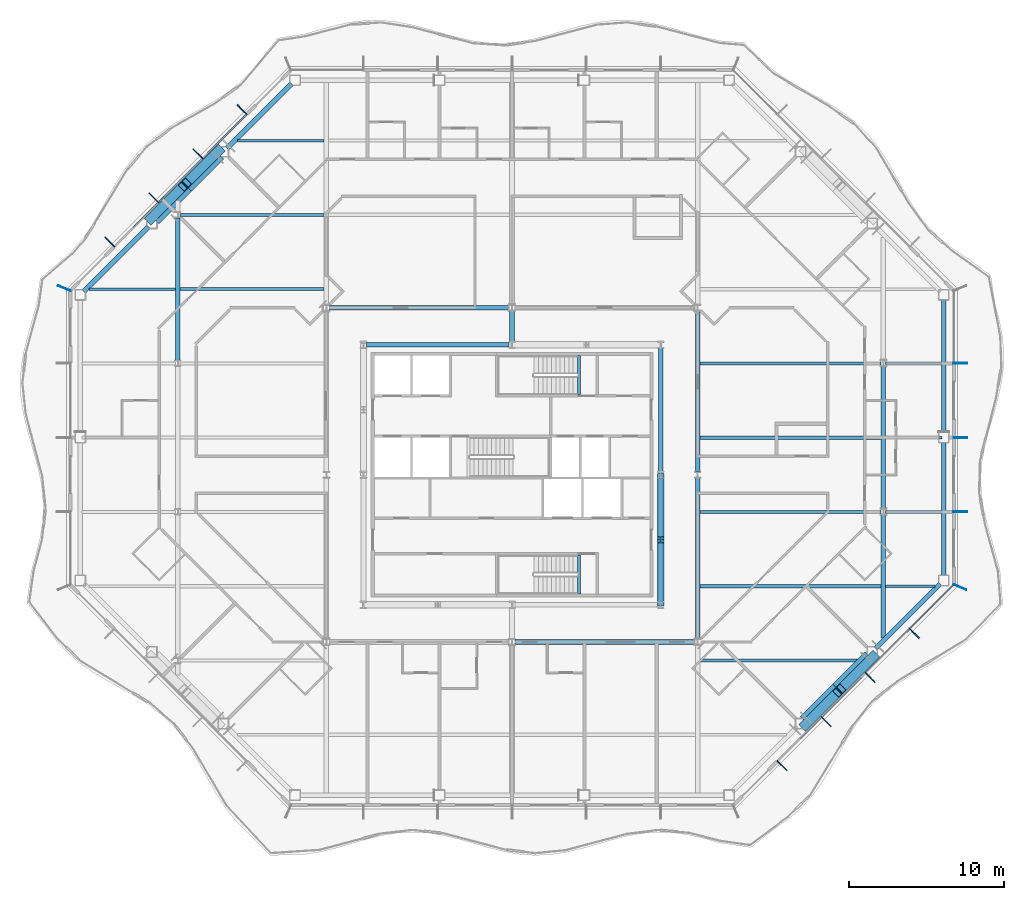
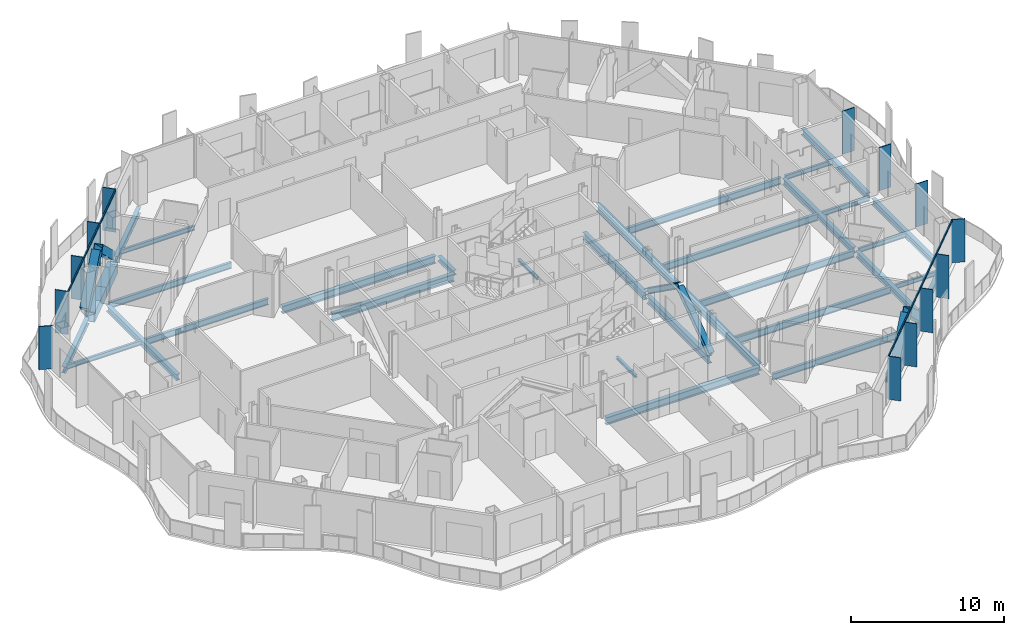
# One storey, part 4 of 21: 35 beams, 26 members, 4 elements without a shape of their own.
"""IFC4 building model written with IfcOpenShell, lengths in metres."""

from ifc_helpers import new_model, si_unit, direction, frame, origin, origin_2d, place, context, subcontext, project, spatial, rectangle, hollow_rectangle, i_section, extrude, material, material_profile, profile_set, type_object, element, aggregate, save


model = new_model("IFC4")

# Units and contexts
model_context = context("Model", 3, precision=1e-05, world=origin(), true_north=direction((0.0, 1.0)))
body_context = subcontext(model_context, "Body", "Model", "MODEL_VIEW")
ifc_project = project(units=[si_unit("LENGTHUNIT", "METRE"), si_unit("AREAUNIT", "SQUARE_METRE"), si_unit("VOLUMEUNIT", "CUBIC_METRE"), si_unit("PLANEANGLEUNIT", "RADIAN"), si_unit("MASSUNIT", "GRAM", prefix="KILO")], contexts=[model_context])

# Site, building, storey
site_placement = place(None, origin())
site = spatial("IfcSite", under=ifc_project, at=site_placement, CompositionType="ELEMENT")
building_placement = place(site_placement, origin())
building = spatial("IfcBuilding", under=site, at=building_placement, Name="Cairn Pilgrim Tower", CompositionType="ELEMENT")
storey_placement = place(building_placement, frame((0.0, 0.0, 139.800048828125)))
storey = spatial("IfcBuildingStorey", under=building, at=storey_placement, Name="L34", CompositionType="ELEMENT", Elevation=139.800048828125)

# Members
ifc_material_1 = material(Name="Structural steel S460M", Category="steel")
ifc_material_profile_1 = material_profile(ifc_material_1, hollow_rectangle(XDim=0.60009765625, YDim=0.60009765625, WallThickness=0.034912109375, at=origin_2d()), Name="BOX 600x600x35")
ifc_profile_set_1 = profile_set([ifc_material_profile_1], Name="Structural steel S460M")
member_type_1 = type_object("IfcMemberType", Name="BOX 600x600x35 BRACE", PredefinedType="BRACE", material=ifc_profile_set_1)
for number, where, z_axis, x_axis, name in (
    (1, (26.08837890625, -13.813720703125, 0.14990234375), (0.535555986925, 0.535555986925, 0.652962150311), (-0.707106781187, 0.707106781187, 0.0), "XB-SE2-SE3-1"),
    (2, (30.613525390625, -9.288330078125, 0.14990234375), (-0.535512846393, -0.535573335815, 0.652983302476), (0.707146713802, -0.707066846316, 0.0), "XB-SE2-SE3-2"),
):
    element("IfcMember", number, at=place(storey_placement, frame(where, z_axis=z_axis, x_axis=x_axis)), inside=storey, type_object=member_type_1, Name=name, PredefinedType="BRACE", context=body_context, shape_type="SweptSolid", body=[
        extrude(hollow_rectangle(XDim=0.60009765625, YDim=0.60009765625, WallThickness=0.034912109375, at=origin_2d()), origin(), (0.0, 0.0, 1.0), 4.0361328125),
    ])
member_1_placement = place(storey_placement, frame((-11.6884765625, 23.41357421875, 0.14990234375), z_axis=(-0.53553019501, -0.53553019501, 0.653004456696), x_axis=(0.707106781187, -0.707106781187, 0.0)))
element("IfcMember", 3, at=member_1_placement, inside=storey, type_object=member_type_1, Name="XB-NW2-NW3-1", PredefinedType="BRACE", context=body_context, shape_type="SweptSolid", body=[
    extrude(hollow_rectangle(XDim=0.60009765625, YDim=0.60009765625, WallThickness=0.034912109375, at=origin_2d()), origin(), (0.0, 0.0, 1.0), 4.035888671875),
])
member_2_placement = place(storey_placement, frame((-16.213623046875, 18.888427734375, 0.14990234375), z_axis=(0.535573335815, 0.535512846393, 0.652983302476), x_axis=(-0.707066846316, 0.707146713802, 0.0)))
element("IfcMember", 4, at=member_2_placement, inside=storey, type_object=member_type_1, Name="XB-NW2-NW3-2", PredefinedType="BRACE", context=body_context, shape_type="SweptSolid", body=[
    extrude(hollow_rectangle(XDim=0.60009765625, YDim=0.60009765625, WallThickness=0.034912109375, at=origin_2d()), origin(), (0.0, 0.0, 1.0), 4.0361328125),
])

# Beams
ifc_material_2 = material(Name="Structural steel S355J2", Category="steel")
ifc_material_profile_2 = material_profile(ifc_material_2, hollow_rectangle(XDim=0.699951171875, YDim=0.800048828125, WallThickness=0.0400390625, at=origin_2d()), Name="BOX 700x800x40")
ifc_profile_set_2 = profile_set([ifc_material_profile_2], Name="Structural steel S355J2")
beam_type_1 = type_object("IfcBeamType", Name="BOX 700x800x40 RING GIRDER", PredefinedType="SPANDREL", material=ifc_profile_set_2)
for number, where, z_axis, x_axis, name in (
    (5, (26.07421875, -13.452880859375, -0.550048828125), (0.707106781187, 0.707106781187, 0.0), (-0.707106781187, 0.707106781187, 0.0), "RG2-SE2-SE3-1"),
    (6, (28.16357421875, -11.363525390625, -0.550048828125), (0.707106781187, 0.707106781187, 0.0), (-0.707106781187, 0.707106781187, 0.0), "RG2-SE2-SE3-2"),
    (7, (-11.67431640625, 23.052978515625, -0.550048828125), (-0.707106781187, -0.707106781187, 0.0), (0.707106781187, -0.707106781187, 0.0), "RG2-NW2-NW3-1"),
    (8, (-13.763671875, 20.963623046875, -0.550048828125), (-0.707106781187, -0.707106781187, 0.0), (0.707106781187, -0.707106781187, 0.0), "RG2-NW2-NW3-2"),
):
    element("IfcBeam", number, at=place(storey_placement, frame(where, z_axis=z_axis, x_axis=x_axis)), inside=storey, type_object=beam_type_1, Name=name, PredefinedType="SPANDREL", context=body_context, shape_type="SweptSolid", body=[
        extrude(hollow_rectangle(XDim=0.699951171875, YDim=0.800048828125, WallThickness=0.0400390625, at=origin_2d()), origin(), (0.0, 0.0, 1.0), 2.954833984375),
    ])

# Curtain wall, members
ifc_material_3 = material(Name="Aluminium alloy 6063-T6 bronze anodised with Bronze tinted laminated low-E glass 8+16+8.8", Category="aluminium")
curtain_wall_type_1 = type_object("IfcCurtainWallType", Name="CHAMFER CORNER CURTAIN WALL", PredefinedType="NOTDEFINED", material=ifc_material_3)
curtain_wall_1_placement = place(storey_placement, origin())
curtain_wall_1 = element("IfcCurtainWall", 9, at=curtain_wall_1_placement, inside=storey, type_object=curtain_wall_type_1, Name="Chamfer Corner Curtain Wall SE", PredefinedType="NOTDEFINED")
ifc_material_4 = material(Name="Aluminium alloy 6063-T6 bronze anodised", Category="aluminium")
ifc_material_profile_3 = material_profile(ifc_material_4, rectangle(XDim=0.89990234375, YDim=0.06005859375, at=origin_2d()), Name="FIN MULLION 60x900 BRONZE")
ifc_profile_set_3 = profile_set([ifc_material_profile_3], Name="Aluminium alloy 6063-T6 bronze anodised")
member_type_2 = type_object("IfcMemberType", Name="FIN MULLION 60x900 BRONZE", PredefinedType="MULLION", material=ifc_profile_set_3)
member_3_placement = place(storey_placement, frame((24.64404296875, -16.396240234375, 0.0), z_axis=(0.0, 0.0, 1.0), x_axis=(0.707106781187, -0.707106781187, 0.0)))
member_3 = element("IfcMember", 10, at=member_3_placement, type_object=member_type_2, Name="Fin mullion SE2", PredefinedType="MULLION", context=body_context, shape_type="SweptSolid", body=[
    extrude(rectangle(XDim=0.89990234375, YDim=0.06005859375, at=origin_2d()), origin(), (0.0, 0.0, 1.0), 3.449951171875),
])
member_4_placement = place(storey_placement, frame((27.494873046875, -13.545654296875, 0.0), z_axis=(0.0, 0.0, 1.0), x_axis=(0.707106781187, -0.707106781187, 0.0)))
member_4 = element("IfcMember", 11, at=member_4_placement, type_object=member_type_2, Name="Fin mullion SE3", PredefinedType="MULLION", context=body_context, shape_type="SweptSolid", body=[
    extrude(rectangle(XDim=0.89990234375, YDim=0.06005859375, at=origin_2d()), origin(), (0.0, 0.0, 1.0), 3.449951171875),
])
member_5_placement = place(storey_placement, frame((30.345458984375, -10.69482421875, 0.0), z_axis=(0.0, 0.0, 1.0), x_axis=(0.707106781187, -0.707106781187, 0.0)))
member_5 = element("IfcMember", 12, at=member_5_placement, type_object=member_type_2, Name="Fin mullion SE4", PredefinedType="MULLION", context=body_context, shape_type="SweptSolid", body=[
    extrude(rectangle(XDim=0.89990234375, YDim=0.06005859375, at=origin_2d()), origin(), (0.0, 0.0, 1.0), 3.449951171875),
])
member_6_placement = place(storey_placement, frame((33.1962890625, -7.84423828125, 0.0), z_axis=(0.0, 0.0, 1.0), x_axis=(0.707106781187, -0.707106781187, 0.0)))
member_6 = element("IfcMember", 13, at=member_6_placement, type_object=member_type_2, Name="Fin mullion SE5", PredefinedType="MULLION", context=body_context, shape_type="SweptSolid", body=[
    extrude(rectangle(XDim=0.89990234375, YDim=0.06005859375, at=origin_2d()), origin(), (0.0, 0.0, 1.0), 3.449951171875),
])

curtain_wall_type_2 = type_object("IfcCurtainWallType", Name="TOWER STICK CURTAIN WALL EW", PredefinedType="NOTDEFINED", material=ifc_material_3)
curtain_wall_2_placement = place(storey_placement, origin())
curtain_wall_2 = element("IfcCurtainWall", 14, at=curtain_wall_2_placement, inside=storey, type_object=curtain_wall_type_2, Name="Tower Stick Curtain Wall Ew E", PredefinedType="NOTDEFINED")
member_7_placement = place(storey_placement, frame((36.137939453125, -4.857177734375, 0.0), z_axis=(0.0, 0.0, 1.0), x_axis=(0.923879532511, -0.382683432365, 0.0)))
member_7 = element("IfcMember", 15, at=member_7_placement, type_object=member_type_2, Name="Fin mullion E1", PredefinedType="MULLION", context=body_context, shape_type="SweptSolid", body=[
    extrude(rectangle(XDim=0.89990234375, YDim=0.06005859375, at=origin_2d()), origin(), (0.0, 0.0, 1.0), 3.449951171875),
])
member_8_placement = place(storey_placement, frame((36.169921875, 0.0, 0.0), z_axis=(0.0, 0.0, 1.0), x_axis=(1.0, 0.0, 0.0)))
member_8 = element("IfcMember", 16, at=member_8_placement, type_object=member_type_2, Name="Fin mullion E2", PredefinedType="MULLION", context=body_context, shape_type="SweptSolid", body=[
    extrude(rectangle(XDim=0.89990234375, YDim=0.06005859375, at=origin_2d()), origin(), (0.0, 0.0, 1.0), 3.449951171875),
])
member_9_placement = place(storey_placement, frame((36.169921875, 4.800048828125, 0.0), z_axis=(0.0, 0.0, 1.0), x_axis=(1.0, 0.0, 0.0)))
member_9 = element("IfcMember", 17, at=member_9_placement, type_object=member_type_2, Name="Fin mullion E3", PredefinedType="MULLION", context=body_context, shape_type="SweptSolid", body=[
    extrude(rectangle(XDim=0.89990234375, YDim=0.06005859375, at=origin_2d()), origin(), (0.0, 0.0, 1.0), 3.449951171875),
])
member_10_placement = place(storey_placement, frame((36.169921875, 9.60009765625, 0.0), z_axis=(0.0, 0.0, 1.0), x_axis=(1.0, 0.0, 0.0)))
member_10 = element("IfcMember", 18, at=member_10_placement, type_object=member_type_2, Name="Fin mullion E4", PredefinedType="MULLION", context=body_context, shape_type="SweptSolid", body=[
    extrude(rectangle(XDim=0.89990234375, YDim=0.06005859375, at=origin_2d()), origin(), (0.0, 0.0, 1.0), 3.449951171875),
])
aggregate(curtain_wall_2, [member_7, member_8, member_9, member_10])

curtain_wall_3_placement = place(storey_placement, origin())
curtain_wall_3 = element("IfcCurtainWall", 19, at=curtain_wall_3_placement, inside=storey, type_object=curtain_wall_type_1, Name="Chamfer Corner Curtain Wall NW", PredefinedType="NOTDEFINED")
member_11_placement = place(storey_placement, frame((-10.244140625, 25.996337890625, 0.0), z_axis=(0.0, 0.0, 1.0), x_axis=(-0.707106781187, 0.707106781187, 0.0)))
member_11 = element("IfcMember", 20, at=member_11_placement, type_object=member_type_2, Name="Fin mullion NW2", PredefinedType="MULLION", context=body_context, shape_type="SweptSolid", body=[
    extrude(rectangle(XDim=0.89990234375, YDim=0.06005859375, at=origin_2d()), origin(), (0.0, 0.0, 1.0), 3.449951171875),
])
member_12_placement = place(storey_placement, frame((-13.094970703125, 23.1455078125, 0.0), z_axis=(0.0, 0.0, 1.0), x_axis=(-0.707106781187, 0.707106781187, 0.0)))
member_12 = element("IfcMember", 21, at=member_12_placement, type_object=member_type_2, Name="Fin mullion NW3", PredefinedType="MULLION", context=body_context, shape_type="SweptSolid", body=[
    extrude(rectangle(XDim=0.89990234375, YDim=0.06005859375, at=origin_2d()), origin(), (0.0, 0.0, 1.0), 3.449951171875),
])
member_13_placement = place(storey_placement, frame((-15.945556640625, 20.294921875, 0.0), z_axis=(0.0, 0.0, 1.0), x_axis=(-0.707106781187, 0.707106781187, 0.0)))
member_13 = element("IfcMember", 22, at=member_13_placement, type_object=member_type_2, Name="Fin mullion NW4", PredefinedType="MULLION", context=body_context, shape_type="SweptSolid", body=[
    extrude(rectangle(XDim=0.89990234375, YDim=0.06005859375, at=origin_2d()), origin(), (0.0, 0.0, 1.0), 3.449951171875),
])
member_14_placement = place(storey_placement, frame((-18.79638671875, 17.444091796875, 0.0), z_axis=(0.0, 0.0, 1.0), x_axis=(-0.707106781187, 0.707106781187, 0.0)))
member_14 = element("IfcMember", 23, at=member_14_placement, type_object=member_type_2, Name="Fin mullion NW5", PredefinedType="MULLION", context=body_context, shape_type="SweptSolid", body=[
    extrude(rectangle(XDim=0.89990234375, YDim=0.06005859375, at=origin_2d()), origin(), (0.0, 0.0, 1.0), 3.449951171875),
])

# Curtain wall, member
curtain_wall_4_placement = place(storey_placement, origin())
curtain_wall_4 = element("IfcCurtainWall", 24, at=curtain_wall_4_placement, inside=storey, type_object=curtain_wall_type_2, Name="Tower Stick Curtain Wall Ew W", PredefinedType="NOTDEFINED")
member_15_placement = place(storey_placement, frame((-21.738037109375, 14.457275390625, 0.0), z_axis=(0.0, 0.0, 1.0), x_axis=(-0.923879532511, 0.382683432365, 0.0)))
member_15 = element("IfcMember", 25, at=member_15_placement, type_object=member_type_2, Name="Fin mullion W1", PredefinedType="MULLION", context=body_context, shape_type="SweptSolid", body=[
    extrude(rectangle(XDim=0.89990234375, YDim=0.06005859375, at=origin_2d()), origin(), (0.0, 0.0, 1.0), 3.449951171875),
])
aggregate(curtain_wall_4, [member_15])

# Members
ifc_material_profile_4 = material_profile(ifc_material_1, i_section(OverallWidth=0.408935546875, OverallDepth=0.425048828125, WebThickness=0.03271484375, FlangeThickness=0.052490234375, FilletRadius=0.014892578125, at=origin_2d()), Name="HD 400x421")
ifc_profile_set_4 = profile_set([ifc_material_profile_4], Name="Structural steel S460M")
member_type_3 = type_object("IfcMemberType", Name="HD 400x421 BRACE", PredefinedType="BRACE", material=ifc_profile_set_4)
for number, where, z_axis, x_axis, name in (
    (26, (16.800048828125, -5.95751953125, 0.099853515625), (0.0, 0.814281054922, 0.58047081201), (-1.0, 0.0, 0.0), "KB-2A"),
    (27, (16.800048828125, 2.357666015625, 0.099853515625), (0.0, -0.814281054922, 0.58047081201), (1.0, 0.0, 0.0), "KB-2B"),
):
    element("IfcMember", number, at=place(storey_placement, frame(where, z_axis=z_axis, x_axis=x_axis)), inside=storey, type_object=member_type_3, Name=name, PredefinedType="BRACE", context=body_context, shape_type="SweptSolid", body=[
        extrude(i_section(OverallWidth=0.408935546875, OverallDepth=0.425048828125, WebThickness=0.03271484375, FlangeThickness=0.052490234375, FilletRadius=0.014892578125, at=origin_2d()), origin(), (0.0, 0.0, 1.0), 4.99755859375),
    ])

# Beams
ifc_material_profile_5 = material_profile(ifc_material_2, i_section(OverallWidth=0.300048828125, OverallDepth=0.39990234375, WebThickness=0.013427734375, FlangeThickness=0.02392578125, FilletRadius=0.027099609375, at=origin_2d()), Name="HEB 400")
ifc_profile_set_5 = profile_set([ifc_material_profile_5], Name="Structural steel S355J2")
beam_type_2 = type_object("IfcBeamType", Name="HEB 400 GIRDER", PredefinedType="BEAM", material=ifc_profile_set_5)
beam_1_placement = place(storey_placement, frame((7.199951171875, 11.011962890625, -0.35009765625), z_axis=(0.0, 1.0, 0.0), x_axis=(-1.0, 0.0, 0.0)))
element("IfcBeam", 28, at=beam_1_placement, inside=storey, type_object=beam_type_2, Name="PG3-E2", PredefinedType="BEAM", context=body_context, shape_type="SweptSolid", body=[
    extrude(i_section(OverallWidth=0.300048828125, OverallDepth=0.39990234375, WebThickness=0.013427734375, FlangeThickness=0.02392578125, FilletRadius=0.027099609375, at=origin_2d()), origin(), (0.0, 0.0, 1.0), 1.983642578125),
])
ifc_material_profile_6 = material_profile(ifc_material_2, i_section(OverallWidth=0.300048828125, OverallDepth=0.5, WebThickness=0.014404296875, FlangeThickness=0.028076171875, FilletRadius=0.027099609375, at=origin_2d()), Name="HEB 500")
ifc_profile_set_6 = profile_set([ifc_material_profile_6], Name="Structural steel S355J2")
beam_type_3 = type_object("IfcBeamType", Name="HEB 500 GIRDER", PredefinedType="BEAM", material=ifc_profile_set_6)
beam_2_placement = place(storey_placement, frame((-14.39990234375, 9.799560546875, -0.400146484375), z_axis=(0.0, 1.0, 0.0), x_axis=(-1.0, 0.0, 0.0)))
element("IfcBeam", 29, at=beam_2_placement, inside=storey, type_object=beam_type_3, Name="PG1-3", PredefinedType="BEAM", context=body_context, shape_type="SweptSolid", body=[
    extrude(i_section(OverallWidth=0.300048828125, OverallDepth=0.5, WebThickness=0.014404296875, FlangeThickness=0.028076171875, FilletRadius=0.027099609375, at=origin_2d()), origin(), (0.0, 0.0, 1.0), 9.200927734375),
])
beam_3_placement = place(storey_placement, frame((31.199951171875, -8.14501953125, -0.400146484375), z_axis=(0.0, 1.0, 0.0), x_axis=(-1.0, 0.0, 0.0)))
element("IfcBeam", 30, at=beam_3_placement, inside=storey, type_object=beam_type_3, Name="PG5-1", PredefinedType="BEAM", context=body_context, shape_type="SweptSolid", body=[
    extrude(i_section(OverallWidth=0.300048828125, OverallDepth=0.5, WebThickness=0.014404296875, FlangeThickness=0.028076171875, FilletRadius=0.027099609375, at=origin_2d()), origin(), (0.0, 0.0, 1.0), 7.9404296875),
])
beam_4_placement = place(storey_placement, frame((31.199951171875, 0.20458984375, -0.400146484375), z_axis=(0.0, 1.0, 0.0), x_axis=(-1.0, 0.0, 0.0)))
element("IfcBeam", 31, at=beam_4_placement, inside=storey, type_object=beam_type_3, Name="PG5-2", PredefinedType="BEAM", context=body_context, shape_type="SweptSolid", body=[
    extrude(i_section(OverallWidth=0.300048828125, OverallDepth=0.5, WebThickness=0.014404296875, FlangeThickness=0.028076171875, FilletRadius=0.027099609375, at=origin_2d()), origin(), (0.0, 0.0, 1.0), 9.19091796875),
])
ifc_material_profile_7 = material_profile(ifc_material_2, i_section(OverallWidth=0.300048828125, OverallDepth=0.5, WebThickness=0.014404296875, FlangeThickness=0.028076171875, FilletRadius=0.027099609375, at=origin_2d()), Name="HEB 500")
ifc_profile_set_7 = profile_set([ifc_material_profile_7], Name="Structural steel S355J2")
beam_type_4 = type_object("IfcBeamType", Name="HEB 500 RING GIRDER", PredefinedType="SPANDREL", material=ifc_profile_set_7)
beam_5_placement = place(storey_placement, frame((30.698486328125, -8.82861328125, -0.400146484375), z_axis=(0.707106781187, 0.707106781187, 0.0), x_axis=(-0.707106781187, 0.707106781187, 0.0)))
element("IfcBeam", 32, at=beam_5_placement, inside=storey, type_object=beam_type_4, Name="RG2-SE3-E1", PredefinedType="SPANDREL", context=body_context, shape_type="SweptSolid", body=[
    extrude(i_section(OverallWidth=0.300048828125, OverallDepth=0.5, WebThickness=0.014404296875, FlangeThickness=0.028076171875, FilletRadius=0.027099609375, at=origin_2d()), origin(), (0.0, 0.0, 1.0), 5.90966796875),
])
beam_6_placement = place(storey_placement, frame((35.10009765625, -4.1123046875, -0.400146484375), z_axis=(0.0, 1.0, 0.0), x_axis=(-1.0, 0.0, 0.0)))
element("IfcBeam", 33, at=beam_6_placement, inside=storey, type_object=beam_type_4, Name="RG2-E1-E2", PredefinedType="SPANDREL", context=body_context, shape_type="SweptSolid", body=[
    extrude(i_section(OverallWidth=0.300048828125, OverallDepth=0.5, WebThickness=0.014404296875, FlangeThickness=0.028076171875, FilletRadius=0.027099609375, at=origin_2d()), origin(), (0.0, 0.0, 1.0), 8.597412109375),
])
beam_7_placement = place(storey_placement, frame((35.10009765625, 5.114990234375, -0.400146484375), z_axis=(0.0, 1.0, 0.0), x_axis=(-1.0, 0.0, 0.0)))
element("IfcBeam", 34, at=beam_7_placement, inside=storey, type_object=beam_type_4, Name="RG2-E2-NE1", PredefinedType="SPANDREL", context=body_context, shape_type="SweptSolid", body=[
    extrude(i_section(OverallWidth=0.300048828125, OverallDepth=0.5, WebThickness=0.014404296875, FlangeThickness=0.028076171875, FilletRadius=0.027099609375, at=origin_2d()), origin(), (0.0, 0.0, 1.0), 8.59716796875),
])
for number, where, z_axis, x_axis, name in (
    (35, (-7.0498046875, 27.67724609375, -0.400146484375), (-0.707127436591, -0.707086125179, 0.0), (0.707086125179, -0.707127436591, 0.0), "RG2-NW1-NW2"),
    (36, (-16.298583984375, 18.4287109375, -0.400146484375), (-0.707106781187, -0.707106781187, 0.0), (0.707106781187, -0.707106781187, 0.0), "RG2-NW3-W1"),
):
    element("IfcBeam", number, at=place(storey_placement, frame(where, z_axis=z_axis, x_axis=x_axis)), inside=storey, type_object=beam_type_4, Name=name, PredefinedType="SPANDREL", context=body_context, shape_type="SweptSolid", body=[
        extrude(i_section(OverallWidth=0.300048828125, OverallDepth=0.5, WebThickness=0.014404296875, FlangeThickness=0.028076171875, FilletRadius=0.027099609375, at=origin_2d()), origin(), (0.0, 0.0, 1.0), 5.90966796875),
    ])
ifc_material_profile_8 = material_profile(ifc_material_2, i_section(OverallWidth=0.300048828125, OverallDepth=0.60009765625, WebThickness=0.015380859375, FlangeThickness=0.030029296875, FilletRadius=0.027099609375, at=origin_2d()), Name="HEB 600")
ifc_profile_set_8 = profile_set([ifc_material_profile_8], Name="Structural steel S355J2")
beam_type_5 = type_object("IfcBeamType", Name="HEB 600 CORE BEAM", PredefinedType="BEAM", material=ifc_profile_set_8)
for number, where, z_axis, x_axis, name in (
    (37, (16.800048828125, -5.80908203125, -0.449951171875), (0.0, 1.0, 0.0), (-1.0, 0.0, 0.0), "CB-3"),
    (38, (16.800048828125, 2.5908203125, -0.449951171875), (0.0, 1.0, 0.0), (-1.0, 0.0, 0.0), "CB-4"),
):
    element("IfcBeam", number, at=place(storey_placement, frame(where, z_axis=z_axis, x_axis=x_axis)), inside=storey, type_object=beam_type_5, Name=name, PredefinedType="BEAM", context=body_context, shape_type="SweptSolid", body=[
        extrude(i_section(OverallWidth=0.300048828125, OverallDepth=0.60009765625, WebThickness=0.015380859375, FlangeThickness=0.030029296875, FilletRadius=0.027099609375, at=origin_2d()), origin(), (0.0, 0.0, 1.0), 8.018310546875),
    ])
beam_8_placement = place(storey_placement, frame((7.00927734375, 10.800048828125, -0.449951171875), z_axis=(-1.0, 0.0, 0.0), x_axis=(0.0, -1.0, 0.0)))
element("IfcBeam", 39, at=beam_8_placement, inside=storey, type_object=beam_type_5, Name="CB-6", PredefinedType="BEAM", context=body_context, shape_type="SweptSolid", body=[
    extrude(i_section(OverallWidth=0.300048828125, OverallDepth=0.60009765625, WebThickness=0.015380859375, FlangeThickness=0.030029296875, FilletRadius=0.027099609375, at=origin_2d()), origin(), (0.0, 0.0, 1.0), 9.218505859375),
])
ifc_material_profile_9 = material_profile(ifc_material_2, i_section(OverallWidth=0.300048828125, OverallDepth=0.60009765625, WebThickness=0.015380859375, FlangeThickness=0.030029296875, FilletRadius=0.027099609375, at=origin_2d()), Name="HEB 600")
ifc_profile_set_9 = profile_set([ifc_material_profile_9], Name="Structural steel S355J2")
beam_type_6 = type_object("IfcBeamType", Name="HEB 600 GIRDER", PredefinedType="BEAM", material=ifc_profile_set_9)
for number, where, z_axis, x_axis, name in (
    (40, (19.199951171875, -8.195556640625, -0.449951171875), (0.0, 1.0, 0.0), (-1.0, 0.0, 0.0), "PG4-2"),
    (41, (19.199951171875, 2.6044921875, -0.449951171875), (0.0, 1.0, 0.0), (-1.0, 0.0, 0.0), "PG4-3"),
):
    element("IfcBeam", number, at=place(storey_placement, frame(where, z_axis=z_axis, x_axis=x_axis)), inside=storey, type_object=beam_type_6, Name=name, PredefinedType="BEAM", context=body_context, shape_type="SweptSolid", body=[
        extrude(i_section(OverallWidth=0.300048828125, OverallDepth=0.60009765625, WebThickness=0.015380859375, FlangeThickness=0.030029296875, FilletRadius=0.027099609375, at=origin_2d()), origin(), (0.0, 0.0, 1.0), 10.39111328125),
    ])
ifc_material_profile_10 = material_profile(ifc_material_2, i_section(OverallWidth=0.300048828125, OverallDepth=0.60009765625, WebThickness=0.015380859375, FlangeThickness=0.030029296875, FilletRadius=0.027099609375, at=origin_2d()), Name="HEB 600")
ifc_profile_set_10 = profile_set([ifc_material_profile_10], Name="Structural steel S355J2")
beam_type_7 = type_object("IfcBeamType", Name="HEB 600 INNER GIRDER", PredefinedType="BEAM", material=ifc_profile_set_10)
for number, where, z_axis, x_axis, name in (
    (42, (7.404541015625, -8.39990234375, -0.449951171875), (1.0, 0.0, 0.0), (0.0, 1.0, 0.0), "IG1-2"),
    (43, (-4.595458984375, 13.199951171875, -0.449951171875), (1.0, 0.0, 0.0), (0.0, 1.0, 0.0), "IG2-1"),
):
    element("IfcBeam", number, at=place(storey_placement, frame(where, z_axis=z_axis, x_axis=x_axis)), inside=storey, type_object=beam_type_7, Name=name, PredefinedType="BEAM", context=body_context, shape_type="SweptSolid", body=[
        extrude(i_section(OverallWidth=0.300048828125, OverallDepth=0.60009765625, WebThickness=0.015380859375, FlangeThickness=0.030029296875, FilletRadius=0.027099609375, at=origin_2d()), origin(), (0.0, 0.0, 1.0), 11.591064453125),
    ])
ifc_material_profile_11 = material_profile(ifc_material_2, i_section(OverallWidth=0.169921875, OverallDepth=0.360107421875, WebThickness=0.008056640625, FlangeThickness=0.0126953125, FilletRadius=0.01806640625, at=origin_2d()), Name="IPE 360")
ifc_profile_set_11 = profile_set([ifc_material_profile_11], Name="Structural steel S355J2")
beam_type_8 = type_object("IfcBeamType", Name="IPE 360 SECONDARY BEAM", PredefinedType="JOIST", material=ifc_profile_set_11)
beam_9_placement = place(storey_placement, frame((31.35009765625, -4.800048828125, -0.330078125), z_axis=(1.0, 0.0, 0.0), x_axis=(0.0, 1.0, 0.0)))
element("IfcBeam", 44, at=beam_9_placement, inside=storey, type_object=beam_type_8, Name="SB3-4", PredefinedType="JOIST", context=body_context, shape_type="SweptSolid", body=[
    extrude(i_section(OverallWidth=0.169921875, OverallDepth=0.360107421875, WebThickness=0.008056640625, FlangeThickness=0.0126953125, FilletRadius=0.01806640625, at=origin_2d()), origin(), (0.0, 0.0, 1.0), 3.195068359375),
])
for number, where, z_axis, x_axis, name in (
    (45, (31.35009765625, 0.0, -0.330078125), (1.0, 0.0, 0.0), (0.0, 1.0, 0.0), "SB4-4"),
    (46, (31.35009765625, 4.800048828125, -0.330078125), (1.0, 0.0, 0.0), (0.0, 1.0, 0.0), "SB5-4"),
    (47, (31.35009765625, 9.60009765625, -0.330078125), (1.0, 0.0, 0.0), (0.0, 1.0, 0.0), "SB6-4"),
):
    element("IfcBeam", number, at=place(storey_placement, frame(where, z_axis=z_axis, x_axis=x_axis)), inside=storey, type_object=beam_type_8, Name=name, PredefinedType="JOIST", context=body_context, shape_type="SweptSolid", body=[
        extrude(i_section(OverallWidth=0.169921875, OverallDepth=0.360107421875, WebThickness=0.008056640625, FlangeThickness=0.0126953125, FilletRadius=0.01806640625, at=origin_2d()), origin(), (0.0, 0.0, 1.0), 3.6298828125),
    ])
beam_10_placement = place(storey_placement, frame((-20.14501953125, 14.39990234375, -0.330078125), z_axis=(1.0, 0.0, 0.0), x_axis=(0.0, 1.0, 0.0)))
element("IfcBeam", 48, at=beam_10_placement, inside=storey, type_object=beam_type_8, Name="SB7-1", PredefinedType="JOIST", context=body_context, shape_type="SweptSolid", body=[
    extrude(i_section(OverallWidth=0.169921875, OverallDepth=0.360107421875, WebThickness=0.008056640625, FlangeThickness=0.0126953125, FilletRadius=0.01806640625, at=origin_2d()), origin(), (0.0, 0.0, 1.0), 5.594970703125),
])
beam_11_placement = place(storey_placement, frame((-10.545166015625, 24.0, -0.330078125), z_axis=(1.0, 0.0, 0.0), x_axis=(0.0, 1.0, 0.0)))
element("IfcBeam", 49, at=beam_11_placement, inside=storey, type_object=beam_type_8, Name="SB9-1", PredefinedType="JOIST", context=body_context, shape_type="SweptSolid", body=[
    extrude(i_section(OverallWidth=0.169921875, OverallDepth=0.360107421875, WebThickness=0.008056640625, FlangeThickness=0.0126953125, FilletRadius=0.01806640625, at=origin_2d()), origin(), (0.0, 0.0, 1.0), 5.59521484375),
])
ifc_material_profile_12 = material_profile(ifc_material_2, i_section(OverallWidth=0.199951171875, OverallDepth=0.5, WebThickness=0.01025390625, FlangeThickness=0.01611328125, FilletRadius=0.02099609375, at=origin_2d()), Name="IPE 500")
ifc_profile_set_12 = profile_set([ifc_material_profile_12], Name="Structural steel S355J2")
beam_type_9 = type_object("IfcBeamType", Name="IPE 500 SECONDARY BEAM", PredefinedType="JOIST", material=ifc_profile_set_12)
beam_12_placement = place(storey_placement, frame((19.35009765625, -9.60009765625, -0.400146484375), z_axis=(1.0, 0.0, 0.0), x_axis=(0.0, 1.0, 0.0)))
element("IfcBeam", 50, at=beam_12_placement, inside=storey, type_object=beam_type_9, Name="SB2-2", PredefinedType="JOIST", context=body_context, shape_type="SweptSolid", body=[
    extrude(i_section(OverallWidth=0.199951171875, OverallDepth=0.5, WebThickness=0.01025390625, FlangeThickness=0.01611328125, FilletRadius=0.02099609375, at=origin_2d()), origin(), (0.0, 0.0, 1.0), 10.39501953125),
])
for number, where, z_axis, x_axis, name in (
    (51, (-14.25, 14.39990234375, -0.400146484375), (1.0, 0.0, 0.0), (0.0, 1.0, 0.0), "SB7-2"),
    (52, (-14.25, 19.199951171875, -0.400146484375), (1.0, 0.0, 0.0), (0.0, 1.0, 0.0), "SB8-1"),
):
    element("IfcBeam", number, at=place(storey_placement, frame(where, z_axis=z_axis, x_axis=x_axis)), inside=storey, type_object=beam_type_9, Name=name, PredefinedType="JOIST", context=body_context, shape_type="SweptSolid", body=[
        extrude(i_section(OverallWidth=0.199951171875, OverallDepth=0.5, WebThickness=0.01025390625, FlangeThickness=0.01611328125, FilletRadius=0.02099609375, at=origin_2d()), origin(), (0.0, 0.0, 1.0), 9.300048828125),
    ])
ifc_material_profile_13 = material_profile(ifc_material_2, i_section(OverallWidth=0.2099609375, OverallDepth=0.550048828125, WebThickness=0.010986328125, FlangeThickness=0.01708984375, FilletRadius=0.02392578125, at=origin_2d()), Name="IPE 550")
ifc_profile_set_13 = profile_set([ifc_material_profile_13], Name="Structural steel S355J2")
beam_type_10 = type_object("IfcBeamType", Name="IPE 550 SECONDARY BEAM", PredefinedType="JOIST", material=ifc_profile_set_13)
for number, where, z_axis, x_axis, name in (
    (53, (19.35009765625, -4.800048828125, -0.425048828125), (1.0, 0.0, 0.0), (0.0, 1.0, 0.0), "SB3-3"),
    (54, (19.35009765625, 0.0, -0.425048828125), (1.0, 0.0, 0.0), (0.0, 1.0, 0.0), "SB4-3"),
    (55, (19.35009765625, 4.800048828125, -0.425048828125), (1.0, 0.0, 0.0), (0.0, 1.0, 0.0), "SB5-3"),
    (56, (19.35009765625, 9.60009765625, -0.425048828125), (1.0, 0.0, 0.0), (0.0, 1.0, 0.0), "SB6-3"),
):
    element("IfcBeam", number, at=place(storey_placement, frame(where, z_axis=z_axis, x_axis=x_axis)), inside=storey, type_object=beam_type_10, Name=name, PredefinedType="JOIST", context=body_context, shape_type="SweptSolid", body=[
        extrude(i_section(OverallWidth=0.2099609375, OverallDepth=0.550048828125, WebThickness=0.010986328125, FlangeThickness=0.01708984375, FilletRadius=0.02392578125, at=origin_2d()), origin(), (0.0, 0.0, 1.0), 11.699951171875),
    ])
ifc_material_profile_14 = material_profile(ifc_material_2, i_section(OverallWidth=0.199951171875, OverallDepth=0.199951171875, WebThickness=0.009033203125, FlangeThickness=0.014892578125, FilletRadius=0.01806640625, at=origin_2d()), Name="HE 200 B")
ifc_profile_set_14 = profile_set([ifc_material_profile_14], Name="Structural steel S355J2")
beam_type_11 = type_object("IfcBeamType", Name="STAIR LANDING BEAM HE 200 B", PredefinedType="BEAM", material=ifc_profile_set_14)
for number, where, z_axis, x_axis, name in (
    (57, (11.5244140625, -2.77490234375, -0.25), (0.0, -1.0, 0.0), (1.0, 0.0, 0.0), "STAIR LANDING BEAM LD-HE200B"),
    (58, (11.5244140625, 10.10009765625, -0.25), (0.0, -1.0, 0.0), (1.0, 0.0, 0.0), "STAIR LANDING BEAM LD-HE200B"),
):
    element("IfcBeam", number, at=place(storey_placement, frame(where, z_axis=z_axis, x_axis=x_axis)), inside=storey, type_object=beam_type_11, Name=name, PredefinedType="BEAM", context=body_context, shape_type="SweptSolid", body=[
        extrude(i_section(OverallWidth=0.199951171875, OverallDepth=0.199951171875, WebThickness=0.009033203125, FlangeThickness=0.014892578125, FilletRadius=0.01806640625, at=origin_2d()), origin(), (0.0, 0.0, 1.0), 2.525146484375),
    ])

# Member
ifc_material_profile_15 = material_profile(ifc_material_4, rectangle(XDim=0.080078125, YDim=0.14990234375, at=origin_2d()), Name="TRANSOM 80x150 BRONZE")
ifc_profile_set_15 = profile_set([ifc_material_profile_15], Name="Aluminium alloy 6063-T6 bronze anodised")
member_type_4 = type_object("IfcMemberType", Name="TRANSOM 80x150 BRONZE", PredefinedType="USERDEFINED", material=ifc_profile_set_15)
member_16_placement = place(storey_placement, frame((24.368408203125, -16.078125, 3.375), z_axis=(0.707106781187, 0.707106781187, 0.0), x_axis=(-0.707106781187, 0.707106781187, 0.0)))
member_16 = element("IfcMember", 59, at=member_16_placement, type_object=member_type_4, Name="Transom SE2", ObjectType="TRANSOM", PredefinedType="USERDEFINED", context=body_context, shape_type="SweptSolid", body=[
    extrude(rectangle(XDim=0.080078125, YDim=0.14990234375, at=origin_2d()), origin(), (0.0, 0.0, 1.0), 3.9716796875),
])

member_17_placement = place(storey_placement, frame((27.218994140625, -13.227294921875, 3.375), z_axis=(0.70713751761, 0.707076043427, 0.0), x_axis=(-0.707076043427, 0.70713751761, 0.0)))
member_17 = element("IfcMember", 60, at=member_17_placement, type_object=member_type_4, Name="Transom SE3", ObjectType="TRANSOM", PredefinedType="USERDEFINED", context=body_context, shape_type="SweptSolid", body=[
    extrude(rectangle(XDim=0.080078125, YDim=0.14990234375, at=origin_2d()), origin(), (0.0, 0.0, 1.0), 3.971435546875),
])

member_18_placement = place(storey_placement, frame((30.06982421875, -10.376708984375, 3.375), z_axis=(0.707106781187, 0.707106781187, 0.0), x_axis=(-0.707106781187, 0.707106781187, 0.0)))
member_18 = element("IfcMember", 61, at=member_18_placement, type_object=member_type_4, Name="Transom SE4", ObjectType="TRANSOM", PredefinedType="USERDEFINED", context=body_context, shape_type="SweptSolid", body=[
    extrude(rectangle(XDim=0.080078125, YDim=0.14990234375, at=origin_2d()), origin(), (0.0, 0.0, 1.0), 3.9716796875),
])

member_19_placement = place(storey_placement, frame((32.92041015625, -7.52587890625, 3.375), z_axis=(0.707106781187, 0.707106781187, 0.0), x_axis=(-0.707106781187, 0.707106781187, 0.0)))
member_19 = element("IfcMember", 62, at=member_19_placement, type_object=member_type_4, Name="Transom SE5", ObjectType="TRANSOM", PredefinedType="USERDEFINED", context=body_context, shape_type="SweptSolid", body=[
    extrude(rectangle(XDim=0.080078125, YDim=0.14990234375, at=origin_2d()), origin(), (0.0, 0.0, 1.0), 3.961669921875),
])

aggregate(curtain_wall_1, [member_3, member_4, member_5, member_6, member_16, member_17, member_18, member_19])

member_20_placement = place(storey_placement, frame((-9.96826171875, 25.677978515625, 3.375), z_axis=(-0.70713751761, -0.707076043427, 0.0), x_axis=(0.707076043427, -0.70713751761, 0.0)))
member_20 = element("IfcMember", 63, at=member_20_placement, type_object=member_type_4, Name="Transom NW2", ObjectType="TRANSOM", PredefinedType="USERDEFINED", context=body_context, shape_type="SweptSolid", body=[
    extrude(rectangle(XDim=0.080078125, YDim=0.14990234375, at=origin_2d()), origin(), (0.0, 0.0, 1.0), 3.971435546875),
])

member_21_placement = place(storey_placement, frame((-12.819091796875, 22.827392578125, 3.375), z_axis=(-0.707106781187, -0.707106781187, 0.0), x_axis=(0.707106781187, -0.707106781187, 0.0)))
member_21 = element("IfcMember", 64, at=member_21_placement, type_object=member_type_4, Name="Transom NW3", ObjectType="TRANSOM", PredefinedType="USERDEFINED", context=body_context, shape_type="SweptSolid", body=[
    extrude(rectangle(XDim=0.080078125, YDim=0.14990234375, at=origin_2d()), origin(), (0.0, 0.0, 1.0), 3.9716796875),
])

member_22_placement = place(storey_placement, frame((-15.669677734375, 19.9765625, 3.375), z_axis=(-0.70713751761, -0.707076043427, 0.0), x_axis=(0.707076043427, -0.70713751761, 0.0)))
member_22 = element("IfcMember", 65, at=member_22_placement, type_object=member_type_4, Name="Transom NW4", ObjectType="TRANSOM", PredefinedType="USERDEFINED", context=body_context, shape_type="SweptSolid", body=[
    extrude(rectangle(XDim=0.080078125, YDim=0.14990234375, at=origin_2d()), origin(), (0.0, 0.0, 1.0), 3.971435546875),
])

aggregate(curtain_wall_3, [member_11, member_12, member_13, member_14, member_20, member_21, member_22])

save(model, "model.ifc")
